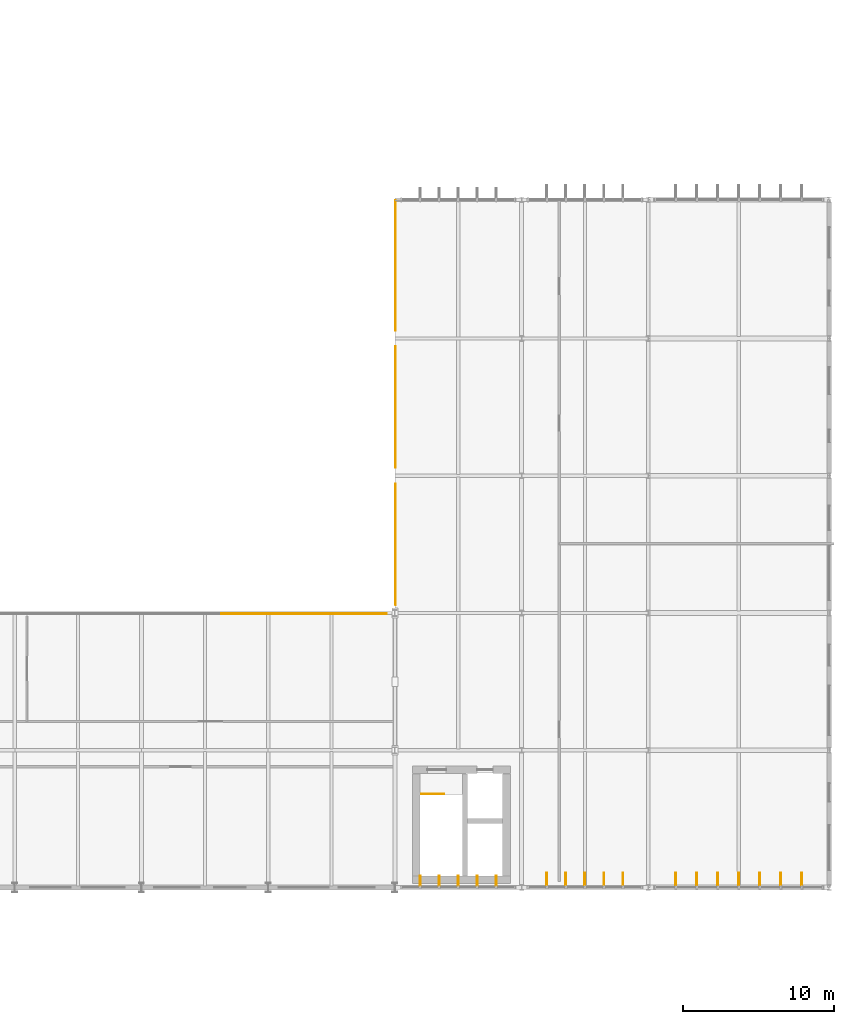
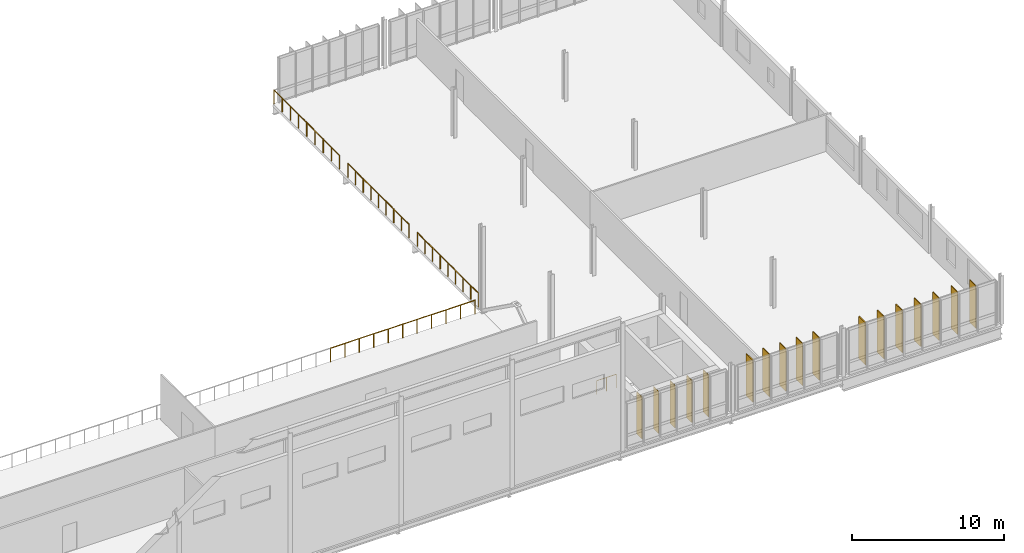
# One storey, part 60 of 61: 18 railings, 17 shading devices.
"""IFC4 building model written with IfcOpenShell, lengths in metres."""

from ifc_helpers import new_model, si_unit, derived_unit, direction, frame, origin, origin_2d, place, context, subcontext, project, spatial, rectangle, circle, extrude, material, layer, layer_set, type_object, element, save


model = new_model("IFC4")

# Units and contexts
model_context = context("Model", 3, precision=1e-05, world=origin(), true_north=direction((0.0, 1.0)))
body_context = subcontext(model_context, "Body", "Model", "MODEL_VIEW")
ifc_project = project(units=[si_unit("LENGTHUNIT", "METRE"), si_unit("AREAUNIT", "SQUARE_METRE"), si_unit("VOLUMEUNIT", "CUBIC_METRE"), si_unit("PLANEANGLEUNIT", "RADIAN"), si_unit("MASSUNIT", "GRAM", prefix="KILO"), derived_unit("THERMALTRANSMITTANCEUNIT", [(si_unit("MASSUNIT", "GRAM", prefix="KILO"), 1), (si_unit("TIMEUNIT", "SECOND"), -3), (si_unit("THERMODYNAMICTEMPERATUREUNIT", "KELVIN"), -1)])], contexts=[model_context])

# Site, building, storey
site_placement = place(None, origin())
site = spatial("IfcSite", under=ifc_project, at=site_placement, CompositionType="ELEMENT")
building_placement = place(site_placement, origin())
building = spatial("IfcBuilding", under=site, at=building_placement, Name="Makaiwela Harbour Ferry Terminal", CompositionType="ELEMENT")
storey_placement = place(building_placement, frame((0.0, 0.0, 13.800048828125)))
storey = spatial("IfcBuildingStorey", under=building, at=storey_placement, Name="L03", CompositionType="ELEMENT", Elevation=13.800048828125)

# Shading devices
ifc_material_1 = material(Name="Marine anodised aluminium 6063-T6", Category="aluminium")
ifc_layer_1 = layer(ifc_material_1, 0.054931640625)
ifc_layer_set_1 = layer_set([ifc_layer_1], Name="Marine anodised aluminium 6063-T6")
shading_device_type_1 = type_object("IfcShadingDeviceType", Name="ENV-FIN-650", PredefinedType="USERDEFINED", material=ifc_layer_set_1)
for number, where, z_axis, x_axis, name in (
    (1, (145.320068359375, 49.837890625, 0.15087890625), (0.0, 0.0, 1.0), (0.0, 1.0, 0.0), "Vertical Solar Fin SFN-0511"),
    (2, (144.06005859375, 49.837890625, 0.15087890625), (0.0, 0.0, 1.0), (0.0, 1.0, 0.0), "Vertical Solar Fin SFN-0512"),
    (3, (142.800048828125, 49.837890625, 0.15087890625), (0.0, 0.0, 1.0), (0.0, 1.0, 0.0), "Vertical Solar Fin SFN-0513"),
    (4, (141.5400390625, 49.837890625, 0.15087890625), (0.0, 0.0, 1.0), (0.0, 1.0, 0.0), "Vertical Solar Fin SFN-0514"),
    (5, (140.280029296875, 49.837890625, 0.15087890625), (0.0, 0.0, 1.0), (0.0, 1.0, 0.0), "Vertical Solar Fin SFN-0515"),
):
    element("IfcShadingDevice", number, at=place(storey_placement, frame(where, z_axis=z_axis, x_axis=x_axis)), inside=storey, type_object=shading_device_type_1, Name=name, ObjectType="SOLAR FIN", PredefinedType="USERDEFINED", context=body_context, shape_type="SweptSolid", body=[
        extrude(rectangle(XDim=0.64990234375, YDim=0.054931640625, at=origin_2d()), origin(), (0.0, 0.0, 1.0), 3.389892578125),
    ])
ifc_material_2 = material(Name="Thermally modified Accoya timber and anodised aluminium", Category="wood")
ifc_layer_2 = layer(ifc_material_2, 0.06005859375)
ifc_layer_set_2 = layer_set([ifc_layer_2], Name="Thermally modified Accoya timber and anodised aluminium")
shading_device_type_2 = type_object("IfcShadingDeviceType", Name="ENV-FIN-850", PredefinedType="USERDEFINED", material=ifc_layer_set_2)
for number, where, z_axis, x_axis, name in (
    (6, (153.719970703125, 49.93798828125, 0.15087890625), (0.0, 0.0, 1.0), (0.0, 1.0, 0.0), "Vertical Solar Fin SFN-0521"),
    (7, (152.4599609375, 49.93798828125, 0.15087890625), (0.0, 0.0, 1.0), (0.0, 1.0, 0.0), "Vertical Solar Fin SFN-0522"),
    (8, (151.199951171875, 49.93798828125, 0.15087890625), (0.0, 0.0, 1.0), (0.0, 1.0, 0.0), "Vertical Solar Fin SFN-0523"),
    (9, (149.93994140625, 49.93798828125, 0.15087890625), (0.0, 0.0, 1.0), (0.0, 1.0, 0.0), "Vertical Solar Fin SFN-0524"),
    (10, (148.679931640625, 49.93798828125, 0.15087890625), (0.0, 0.0, 1.0), (0.0, 1.0, 0.0), "Vertical Solar Fin SFN-0525"),
    (11, (165.5849609375, 49.93798828125, 0.15087890625), (0.0, 0.0, 1.0), (0.0, 1.0, 0.0), "Vertical Solar Fin SFN-0533"),
    (12, (164.18994140625, 49.93798828125, 0.15087890625), (0.0, 0.0, 1.0), (0.0, 1.0, 0.0), "Vertical Solar Fin SFN-0534"),
    (13, (162.794921875, 49.93798828125, 0.15087890625), (0.0, 0.0, 1.0), (0.0, 1.0, 0.0), "Vertical Solar Fin SFN-0535"),
    (14, (161.39990234375, 49.93798828125, 0.15087890625), (0.0, 0.0, 1.0), (0.0, 1.0, 0.0), "Vertical Solar Fin SFN-0536"),
    (15, (160.0048828125, 49.93798828125, 0.15087890625), (0.0, 0.0, 1.0), (0.0, 1.0, 0.0), "Vertical Solar Fin SFN-0537"),
    (16, (158.610107421875, 49.93798828125, 0.15087890625), (0.0, 0.0, 1.0), (0.0, 1.0, 0.0), "Vertical Solar Fin SFN-0538"),
    (17, (157.215087890625, 49.93798828125, 0.15087890625), (0.0, 0.0, 1.0), (0.0, 1.0, 0.0), "Vertical Solar Fin SFN-0539"),
):
    element("IfcShadingDevice", number, at=place(storey_placement, frame(where, z_axis=z_axis, x_axis=x_axis)), inside=storey, type_object=shading_device_type_2, Name=name, ObjectType="SOLAR FIN", PredefinedType="USERDEFINED", context=body_context, shape_type="SweptSolid", body=[
        extrude(rectangle(XDim=0.85009765625, YDim=0.06005859375, at=origin_2d()), origin(), (0.0, 0.0, 1.0), 3.389892578125),
    ])

# Railings
ifc_material_3 = material(Name="Marine grade 316L brushed stainless steel", Category="steel")
railing_type = type_object("IfcRailingType", Name="INT-RL-GRD110", PredefinedType="GUARDRAIL", material=ifc_material_3)
railing_1_placement = place(storey_placement, frame((140.3701171875, 55.60009765625, 0.0)))
element("IfcRailing", 18, at=railing_1_placement, inside=storey, type_object=railing_type, Name="Stair top well guardrail RL-0082", PredefinedType="GUARDRAIL", context=body_context, shape_type="SweptSolid", body=[
    extrude(circle(Radius=0.02392578125, at=origin_2d()), frame((0.0, 0.0, 1.09619140625), z_axis=(1.0, 0.0, 0.0), x_axis=(0.0, 1.0, 0.0)), (0.0, 0.0, 1.0), 1.47998046875),
    extrude(circle(Radius=0.02099609375, at=origin_2d()), origin(), (0.0, 0.0, 1.0), 1.072021484375),
    extrude(circle(Radius=0.02099609375, at=origin_2d()), frame((0.739990234375, 0.0, 0.0)), (0.0, 0.0, 1.0), 1.072021484375),
    extrude(circle(Radius=0.02099609375, at=origin_2d()), frame((1.47998046875, 0.0, 0.0)), (0.0, 0.0, 1.0), 1.072021484375),
])
railing_2_placement = place(storey_placement, frame((127.095703125, 67.554931640625, 0.0)))
element("IfcRailing", 19, at=railing_2_placement, inside=storey, type_object=railing_type, Name="Deck edge guardrail RL-0696", PredefinedType="GUARDRAIL", context=body_context, shape_type="SweptSolid", body=[
    extrude(circle(Radius=0.02392578125, at=origin_2d()), frame((0.0, 0.0, 1.09619140625), z_axis=(1.0, 0.0, 0.0), x_axis=(0.0, 1.0, 0.0)), (0.0, 0.0, 1.0), 2.19140625),
    extrude(circle(Radius=0.02099609375, at=origin_2d()), origin(), (0.0, 0.0, 1.0), 1.072021484375),
    extrude(circle(Radius=0.02099609375, at=origin_2d()), frame((1.095703125, 0.0, 0.0)), (0.0, 0.0, 1.0), 1.072021484375),
    extrude(circle(Radius=0.02099609375, at=origin_2d()), frame((2.19140625, 0.0, 0.0)), (0.0, 0.0, 1.0), 1.072021484375),
])
railing_3_placement = place(storey_placement, frame((129.287109375, 67.554931640625, 0.0)))
element("IfcRailing", 20, at=railing_3_placement, inside=storey, type_object=railing_type, Name="Deck edge guardrail RL-0697", PredefinedType="GUARDRAIL", context=body_context, shape_type="SweptSolid", body=[
    extrude(circle(Radius=0.02392578125, at=origin_2d()), frame((0.0, 0.0, 1.09619140625), z_axis=(1.0, 0.0, 0.0), x_axis=(0.0, 1.0, 0.0)), (0.0, 0.0, 1.0), 2.191162109375),
    extrude(circle(Radius=0.02099609375, at=origin_2d()), origin(), (0.0, 0.0, 1.0), 1.072021484375),
    extrude(circle(Radius=0.02099609375, at=origin_2d()), frame((1.095703125, 0.0, 0.0)), (0.0, 0.0, 1.0), 1.072021484375),
    extrude(circle(Radius=0.02099609375, at=origin_2d()), frame((2.191162109375, 0.0, 0.0)), (0.0, 0.0, 1.0), 1.072021484375),
])
railing_4_placement = place(storey_placement, frame((131.478271484375, 67.554931640625, 0.0)))
element("IfcRailing", 21, at=railing_4_placement, inside=storey, type_object=railing_type, Name="Deck edge guardrail RL-0698", PredefinedType="GUARDRAIL", context=body_context, shape_type="SweptSolid", body=[
    extrude(circle(Radius=0.02392578125, at=origin_2d()), frame((0.0, 0.0, 1.09619140625), z_axis=(1.0, 0.0, 0.0), x_axis=(0.0, 1.0, 0.0)), (0.0, 0.0, 1.0), 2.19140625),
    extrude(circle(Radius=0.02099609375, at=origin_2d()), origin(), (0.0, 0.0, 1.0), 1.072021484375),
    extrude(circle(Radius=0.02099609375, at=origin_2d()), frame((1.095703125, 0.0, 0.0)), (0.0, 0.0, 1.0), 1.072021484375),
    extrude(circle(Radius=0.02099609375, at=origin_2d()), frame((2.19140625, 0.0, 0.0)), (0.0, 0.0, 1.0), 1.072021484375),
])
railing_5_placement = place(storey_placement, frame((133.669677734375, 67.554931640625, 0.0)))
element("IfcRailing", 22, at=railing_5_placement, inside=storey, type_object=railing_type, Name="Deck edge guardrail RL-0699", PredefinedType="GUARDRAIL", context=body_context, shape_type="SweptSolid", body=[
    extrude(circle(Radius=0.02392578125, at=origin_2d()), frame((0.0, 0.0, 1.09619140625), z_axis=(1.0, 0.0, 0.0), x_axis=(0.0, 1.0, 0.0)), (0.0, 0.0, 1.0), 2.191162109375),
    extrude(circle(Radius=0.02099609375, at=origin_2d()), origin(), (0.0, 0.0, 1.0), 1.072021484375),
    extrude(circle(Radius=0.02099609375, at=origin_2d()), frame((1.095703125, 0.0, 0.0)), (0.0, 0.0, 1.0), 1.072021484375),
    extrude(circle(Radius=0.02099609375, at=origin_2d()), frame((2.191162109375, 0.0, 0.0)), (0.0, 0.0, 1.0), 1.072021484375),
])
railing_6_placement = place(storey_placement, frame((135.86083984375, 67.554931640625, 0.0)))
element("IfcRailing", 23, at=railing_6_placement, inside=storey, type_object=railing_type, Name="Deck edge guardrail RL-0700", PredefinedType="GUARDRAIL", context=body_context, shape_type="SweptSolid", body=[
    extrude(circle(Radius=0.02392578125, at=origin_2d()), frame((0.0, 0.0, 1.09619140625), z_axis=(1.0, 0.0, 0.0), x_axis=(0.0, 1.0, 0.0)), (0.0, 0.0, 1.0), 2.19140625),
    extrude(circle(Radius=0.02099609375, at=origin_2d()), origin(), (0.0, 0.0, 1.0), 1.072021484375),
    extrude(circle(Radius=0.02099609375, at=origin_2d()), frame((1.095703125, 0.0, 0.0)), (0.0, 0.0, 1.0), 1.072021484375),
    extrude(circle(Radius=0.02099609375, at=origin_2d()), frame((2.19140625, 0.0, 0.0)), (0.0, 0.0, 1.0), 1.072021484375),
])
railing_7_placement = place(storey_placement, frame((138.64697265625, 68.147705078125, 0.0)))
element("IfcRailing", 24, at=railing_7_placement, inside=storey, type_object=railing_type, Name="Deck edge guardrail RL-0701", PredefinedType="GUARDRAIL", context=body_context, shape_type="SweptSolid", body=[
    extrude(circle(Radius=0.02392578125, at=origin_2d()), frame((0.0, 0.0, 1.09619140625), z_axis=(-0.000122010736, 0.999999992557, 0.0), x_axis=(-0.999999992557, -0.000122010736, 0.0)), (0.0, 0.0, 1.0), 2.0009765625),
    extrude(circle(Radius=0.02099609375, at=origin_2d()), origin(), (0.0, 0.0, 1.0), 1.072021484375),
    extrude(circle(Radius=0.02099609375, at=origin_2d()), frame((0.0, 1.00048828125, 0.0)), (0.0, 0.0, 1.0), 1.072021484375),
    extrude(circle(Radius=0.02099609375, at=origin_2d()), frame((-0.000244140625, 2.0009765625, 0.0)), (0.0, 0.0, 1.0), 1.072021484375),
])
railing_8_placement = place(storey_placement, frame((138.646728515625, 70.148681640625, 0.0)))
element("IfcRailing", 25, at=railing_8_placement, inside=storey, type_object=railing_type, Name="Deck edge guardrail RL-0702", PredefinedType="GUARDRAIL", context=body_context, shape_type="SweptSolid", body=[
    extrude(circle(Radius=0.02392578125, at=origin_2d()), frame((0.0, 0.0, 1.09619140625), z_axis=(0.0, 1.0, 0.0), x_axis=(-1.0, 0.0, 0.0)), (0.0, 0.0, 1.0), 2.001220703125),
    extrude(circle(Radius=0.02099609375, at=origin_2d()), origin(), (0.0, 0.0, 1.0), 1.072021484375),
    extrude(circle(Radius=0.02099609375, at=origin_2d()), frame((0.0, 1.00048828125, 0.0)), (0.0, 0.0, 1.0), 1.072021484375),
    extrude(circle(Radius=0.02099609375, at=origin_2d()), frame((0.0, 2.001220703125, 0.0)), (0.0, 0.0, 1.0), 1.072021484375),
])
railing_9_placement = place(storey_placement, frame((138.646728515625, 72.14990234375, 0.0)))
element("IfcRailing", 26, at=railing_9_placement, inside=storey, type_object=railing_type, Name="Deck edge guardrail RL-0703", PredefinedType="GUARDRAIL", context=body_context, shape_type="SweptSolid", body=[
    extrude(circle(Radius=0.02392578125, at=origin_2d()), frame((0.0, 0.0, 1.09619140625), z_axis=(-0.000121995851, 0.999999992559, 0.0), x_axis=(-0.999999992559, -0.000121995851, 0.0)), (0.0, 0.0, 1.0), 2.001220703125),
    extrude(circle(Radius=0.02099609375, at=origin_2d()), origin(), (0.0, 0.0, 1.0), 1.072021484375),
    extrude(circle(Radius=0.02099609375, at=origin_2d()), frame((0.0, 1.00048828125, 0.0)), (0.0, 0.0, 1.0), 1.072021484375),
    extrude(circle(Radius=0.02099609375, at=origin_2d()), frame((-0.000244140625, 2.001220703125, 0.0)), (0.0, 0.0, 1.0), 1.072021484375),
])
railing_10_placement = place(storey_placement, frame((138.646484375, 74.151123046875, 0.0)))
element("IfcRailing", 27, at=railing_10_placement, inside=storey, type_object=railing_type, Name="Deck edge guardrail RL-0704", PredefinedType="GUARDRAIL", context=body_context, shape_type="SweptSolid", body=[
    extrude(circle(Radius=0.02392578125, at=origin_2d()), frame((0.0, 0.0, 1.09619140625), z_axis=(0.0, 1.0, 0.0), x_axis=(-1.0, 0.0, 0.0)), (0.0, 0.0, 1.0), 2.001220703125),
    extrude(circle(Radius=0.02099609375, at=origin_2d()), origin(), (0.0, 0.0, 1.0), 1.072021484375),
    extrude(circle(Radius=0.02099609375, at=origin_2d()), frame((0.0, 1.00048828125, 0.0)), (0.0, 0.0, 1.0), 1.072021484375),
    extrude(circle(Radius=0.02099609375, at=origin_2d()), frame((0.0, 2.001220703125, 0.0)), (0.0, 0.0, 1.0), 1.072021484375),
])
railing_11_placement = place(storey_placement, frame((138.646240234375, 77.247802734375, 0.0)))
element("IfcRailing", 28, at=railing_11_placement, inside=storey, type_object=railing_type, Name="Deck edge guardrail RL-0705", PredefinedType="GUARDRAIL", context=body_context, shape_type="SweptSolid", body=[
    extrude(circle(Radius=0.02392578125, at=origin_2d()), frame((0.0, 0.0, 1.09619140625), z_axis=(-0.000122010736, 0.999999992557, 0.0), x_axis=(-0.999999992557, -0.000122010736, 0.0)), (0.0, 0.0, 1.0), 2.0009765625),
    extrude(circle(Radius=0.02099609375, at=origin_2d()), origin(), (0.0, 0.0, 1.0), 1.072021484375),
    extrude(circle(Radius=0.02099609375, at=origin_2d()), frame((0.0, 1.00048828125, 0.0)), (0.0, 0.0, 1.0), 1.072021484375),
    extrude(circle(Radius=0.02099609375, at=origin_2d()), frame((-0.000244140625, 2.0009765625, 0.0)), (0.0, 0.0, 1.0), 1.072021484375),
])
for number, where, name in (
    (29, (138.64599609375, 79.248779296875, 0.0), "Deck edge guardrail RL-0706"),
    (30, (138.64599609375, 81.25, 0.0), "Deck edge guardrail RL-0707"),
):
    element("IfcRailing", number, at=place(storey_placement, frame(where)), inside=storey, type_object=railing_type, Name=name, PredefinedType="GUARDRAIL", context=body_context, shape_type="SweptSolid", body=[
        extrude(circle(Radius=0.02392578125, at=origin_2d()), frame((0.0, 0.0, 1.09619140625), z_axis=(0.0, 1.0, 0.0), x_axis=(-1.0, 0.0, 0.0)), (0.0, 0.0, 1.0), 2.001220703125),
        extrude(circle(Radius=0.02099609375, at=origin_2d()), origin(), (0.0, 0.0, 1.0), 1.072021484375),
        extrude(circle(Radius=0.02099609375, at=origin_2d()), frame((0.0, 1.00048828125, 0.0)), (0.0, 0.0, 1.0), 1.072021484375),
        extrude(circle(Radius=0.02099609375, at=origin_2d()), frame((0.0, 2.001220703125, 0.0)), (0.0, 0.0, 1.0), 1.072021484375),
    ])
railing_12_placement = place(storey_placement, frame((138.64599609375, 83.251220703125, 0.0)))
element("IfcRailing", 31, at=railing_12_placement, inside=storey, type_object=railing_type, Name="Deck edge guardrail RL-0708", PredefinedType="GUARDRAIL", context=body_context, shape_type="SweptSolid", body=[
    extrude(circle(Radius=0.02392578125, at=origin_2d()), frame((0.0, 0.0, 1.09619140625), z_axis=(-0.000122010736, 0.999999992557, 0.0), x_axis=(-0.999999992557, -0.000122010736, 0.0)), (0.0, 0.0, 1.0), 2.0009765625),
    extrude(circle(Radius=0.02099609375, at=origin_2d()), origin(), (0.0, 0.0, 1.0), 1.072021484375),
    extrude(circle(Radius=0.02099609375, at=origin_2d()), frame((0.0, 1.00048828125, 0.0)), (0.0, 0.0, 1.0), 1.072021484375),
    extrude(circle(Radius=0.02099609375, at=origin_2d()), frame((-0.000244140625, 2.0009765625, 0.0)), (0.0, 0.0, 1.0), 1.072021484375),
])
railing_13_placement = place(storey_placement, frame((138.6455078125, 86.347900390625, 0.0)))
element("IfcRailing", 32, at=railing_13_placement, inside=storey, type_object=railing_type, Name="Deck edge guardrail RL-0709", PredefinedType="GUARDRAIL", context=body_context, shape_type="SweptSolid", body=[
    extrude(circle(Radius=0.02392578125, at=origin_2d()), frame((0.0, 0.0, 1.09619140625), z_axis=(0.0, 1.0, 0.0), x_axis=(-1.0, 0.0, 0.0)), (0.0, 0.0, 1.0), 2.151611328125),
    extrude(circle(Radius=0.02099609375, at=origin_2d()), origin(), (0.0, 0.0, 1.0), 1.072021484375),
    extrude(circle(Radius=0.02099609375, at=origin_2d()), frame((0.0, 1.07568359375, 0.0)), (0.0, 0.0, 1.0), 1.072021484375),
    extrude(circle(Radius=0.02099609375, at=origin_2d()), frame((0.0, 2.151611328125, 0.0)), (0.0, 0.0, 1.0), 1.072021484375),
])
railing_14_placement = place(storey_placement, frame((138.6455078125, 88.49951171875, 0.0)))
element("IfcRailing", 33, at=railing_14_placement, inside=storey, type_object=railing_type, Name="Deck edge guardrail RL-0710", PredefinedType="GUARDRAIL", context=body_context, shape_type="SweptSolid", body=[
    extrude(circle(Radius=0.02392578125, at=origin_2d()), frame((0.0, 0.0, 1.09619140625), z_axis=(-0.000113455865, 0.999999993564, 0.0), x_axis=(-0.999999993564, -0.000113455865, 0.0)), (0.0, 0.0, 1.0), 2.15185546875),
    extrude(circle(Radius=0.02099609375, at=origin_2d()), origin(), (0.0, 0.0, 1.0), 1.072021484375),
    extrude(circle(Radius=0.02099609375, at=origin_2d()), frame((0.0, 1.075927734375, 0.0)), (0.0, 0.0, 1.0), 1.072021484375),
    extrude(circle(Radius=0.02099609375, at=origin_2d()), frame((-0.000244140625, 2.15185546875, 0.0)), (0.0, 0.0, 1.0), 1.072021484375),
])
railing_15_placement = place(storey_placement, frame((138.645263671875, 90.6513671875, 0.0)))
element("IfcRailing", 34, at=railing_15_placement, inside=storey, type_object=railing_type, Name="Deck edge guardrail RL-0711", PredefinedType="GUARDRAIL", context=body_context, shape_type="SweptSolid", body=[
    extrude(circle(Radius=0.02392578125, at=origin_2d()), frame((0.0, 0.0, 1.09619140625), z_axis=(0.0, 1.0, 0.0), x_axis=(-1.0, 0.0, 0.0)), (0.0, 0.0, 1.0), 2.15185546875),
    extrude(circle(Radius=0.02099609375, at=origin_2d()), origin(), (0.0, 0.0, 1.0), 1.072021484375),
    extrude(circle(Radius=0.02099609375, at=origin_2d()), frame((0.0, 1.075927734375, 0.0)), (0.0, 0.0, 1.0), 1.072021484375),
    extrude(circle(Radius=0.02099609375, at=origin_2d()), frame((0.0, 2.15185546875, 0.0)), (0.0, 0.0, 1.0), 1.072021484375),
])
railing_16_placement = place(storey_placement, frame((138.645263671875, 92.80322265625, 0.0)))
element("IfcRailing", 35, at=railing_16_placement, inside=storey, type_object=railing_type, Name="Deck edge guardrail RL-0712", PredefinedType="GUARDRAIL", context=body_context, shape_type="SweptSolid", body=[
    extrude(circle(Radius=0.02392578125, at=origin_2d()), frame((0.0, 0.0, 1.09619140625), z_axis=(-0.000113455865, 0.999999993564, 0.0), x_axis=(-0.999999993564, -0.000113455865, 0.0)), (0.0, 0.0, 1.0), 2.15185546875),
    extrude(circle(Radius=0.02099609375, at=origin_2d()), origin(), (0.0, 0.0, 1.0), 1.072021484375),
    extrude(circle(Radius=0.02099609375, at=origin_2d()), frame((0.0, 1.075927734375, 0.0)), (0.0, 0.0, 1.0), 1.072021484375),
    extrude(circle(Radius=0.02099609375, at=origin_2d()), frame((-0.000244140625, 2.15185546875, 0.0)), (0.0, 0.0, 1.0), 1.072021484375),
])

save(model, "model.ifc")
